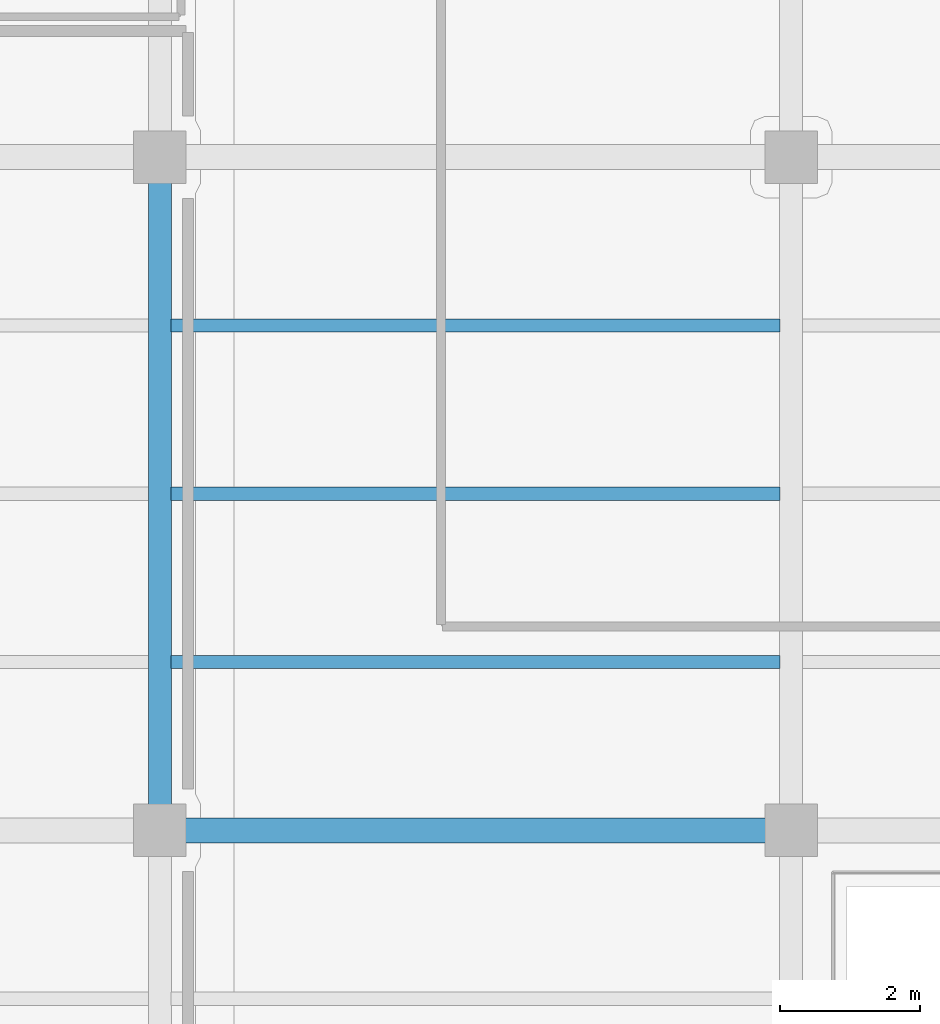
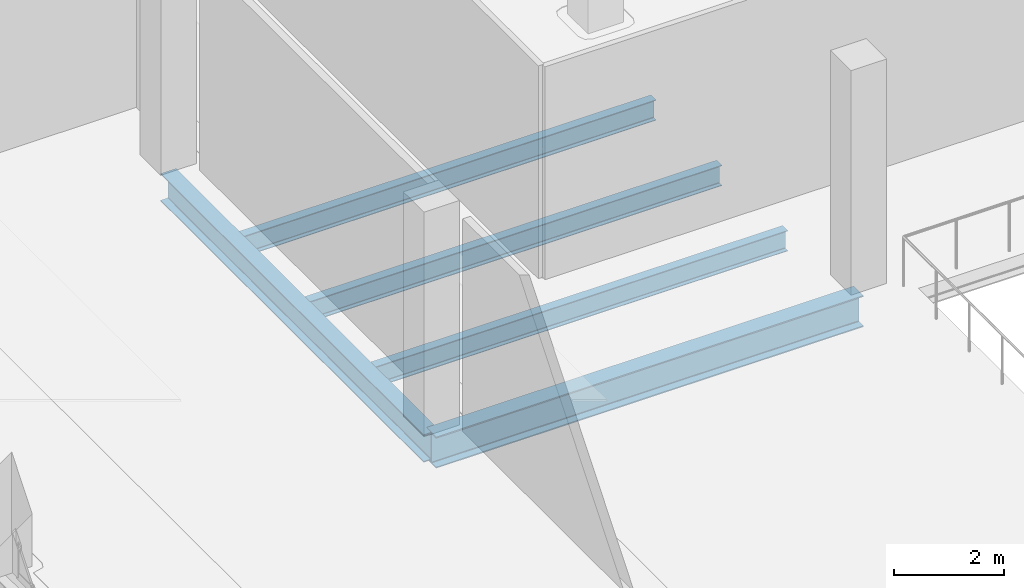
# One storey, part 12 of 47: 5 beams.
"""IFC4 building model written with IfcOpenShell, lengths in metres."""

from ifc_helpers import new_model, si_unit, direction, frame, origin, origin_2d, place, context, subcontext, project, spatial, i_section, extrude, material, material_profile, profile_set, type_object, element, save


model = new_model("IFC4")

# Units and contexts
model_context = context("Model", 3, precision=1e-05, world=origin(), true_north=direction((0.0, 1.0)))
body_context = subcontext(model_context, "Body", "Model", "MODEL_VIEW")
ifc_project = project(units=[si_unit("LENGTHUNIT", "METRE"), si_unit("AREAUNIT", "SQUARE_METRE"), si_unit("VOLUMEUNIT", "CUBIC_METRE"), si_unit("PLANEANGLEUNIT", "RADIAN"), si_unit("MASSUNIT", "GRAM", prefix="KILO")], contexts=[model_context])

# Site, building, storey
site_placement = place(None, origin())
site = spatial("IfcSite", under=ifc_project, at=site_placement, CompositionType="ELEMENT")
building_placement = place(site_placement, origin())
building = spatial("IfcBuilding", under=site, at=building_placement, Name="Qorvath Tower", CompositionType="ELEMENT")
storey_placement = place(building_placement, frame((0.0, 0.0, 12.0)))
storey = spatial("IfcBuildingStorey", under=building, at=storey_placement, Name="L02", CompositionType="ELEMENT", Elevation=12.0)

# Beams
ifc_material_1 = material(Name="Steel ASTM A992 Grade 50", Category="steel")
ifc_material_profile_1 = material_profile(ifc_material_1, i_section(OverallWidth=0.35595703125, OverallDepth=0.696044921875, WebThickness=0.015380859375, FlangeThickness=0.02490234375, FilletRadius=0.01806640625, at=origin_2d()), Name="W27x146")
ifc_profile_set_1 = profile_set([ifc_material_profile_1], Name="Steel ASTM A992 Grade 50")
beam_type_1 = type_object("IfcBeamType", Name="BM-FG4", PredefinedType="BEAM", material=ifc_profile_set_1)
beam_1_placement = place(storey_placement, frame((41.39990234375, 9.60009765625, -0.60791015625), z_axis=(1.0, 0.0, 0.0), x_axis=(0.0, 1.0, 0.0)))
element("IfcBeam", 1, at=beam_1_placement, inside=storey, type_object=beam_type_1, Name="Library E-W Girder L02-6-2", PredefinedType="BEAM", context=body_context, shape_type="SweptSolid", body=[
    extrude(i_section(OverallWidth=0.35595703125, OverallDepth=0.696044921875, WebThickness=0.015380859375, FlangeThickness=0.02490234375, FilletRadius=0.01806640625, at=origin_2d()), origin(), (0.0, 0.0, 1.0), 9.0),
])
ifc_material_2 = material(Name="Steel ASTM A992 Grade 50", Category="steel")
ifc_material_profile_2 = material_profile(ifc_material_2, i_section(OverallWidth=0.324951171875, OverallDepth=0.615966796875, WebThickness=0.013916015625, FlangeThickness=0.021484375, FilletRadius=0.01611328125, at=origin_2d()), Name="W24x117")
ifc_profile_set_2 = profile_set([ifc_material_profile_2], Name="Steel ASTM A992 Grade 50")
beam_type_2 = type_object("IfcBeamType", Name="BM-FG5", PredefinedType="BEAM", material=ifc_profile_set_2)
beam_2_placement = place(storey_placement, frame((41.39990234375, 9.60009765625, -0.568115234375), z_axis=(0.0, 1.0, 0.0), x_axis=(-1.0, 0.0, 0.0)))
element("IfcBeam", 2, at=beam_2_placement, inside=storey, type_object=beam_type_2, Name="Library N-S Girder L02-2-6", PredefinedType="BEAM", context=body_context, shape_type="SweptSolid", body=[
    extrude(i_section(OverallWidth=0.324951171875, OverallDepth=0.615966796875, WebThickness=0.013916015625, FlangeThickness=0.021484375, FilletRadius=0.01611328125, at=origin_2d()), origin(), (0.0, 0.0, 1.0), 9.599853515625),
])
ifc_material_3 = material(Name="Steel ASTM A992 Grade 50", Category="steel")
ifc_material_profile_3 = material_profile(ifc_material_3, i_section(OverallWidth=0.18994140625, OverallDepth=0.45703125, WebThickness=0.009033203125, FlangeThickness=0.014404296875, FilletRadius=0.011962890625, at=origin_2d()), Name="W18x50")
ifc_profile_set_3 = profile_set([ifc_material_profile_3], Name="Steel ASTM A992 Grade 50")
beam_type_3 = type_object("IfcBeamType", Name="BM-FJ2", PredefinedType="JOIST", material=ifc_profile_set_3)
for number, where, z_axis, x_axis, name in (
    (3, (41.560546875, 12.0, -0.488525390625), (1.0, 0.0, 0.0), (0.0, 1.0, 0.0), "Library Stack Joist L02-6.1-2"),
    (4, (41.560546875, 14.39990234375, -0.488525390625), (1.0, 0.0, 0.0), (0.0, 1.0, 0.0), "Library Stack Joist L02-6.2-2"),
    (5, (41.560546875, 16.800048828125, -0.488525390625), (1.0, 0.0, 0.0), (0.0, 1.0, 0.0), "Library Stack Joist L02-6.3-2"),
):
    element("IfcBeam", number, at=place(storey_placement, frame(where, z_axis=z_axis, x_axis=x_axis)), inside=storey, type_object=beam_type_3, Name=name, PredefinedType="JOIST", context=body_context, shape_type="SweptSolid", body=[
        extrude(i_section(OverallWidth=0.18994140625, OverallDepth=0.45703125, WebThickness=0.009033203125, FlangeThickness=0.014404296875, FilletRadius=0.011962890625, at=origin_2d()), origin(), (0.0, 0.0, 1.0), 8.678955078125),
    ])

save(model, "model.ifc")
